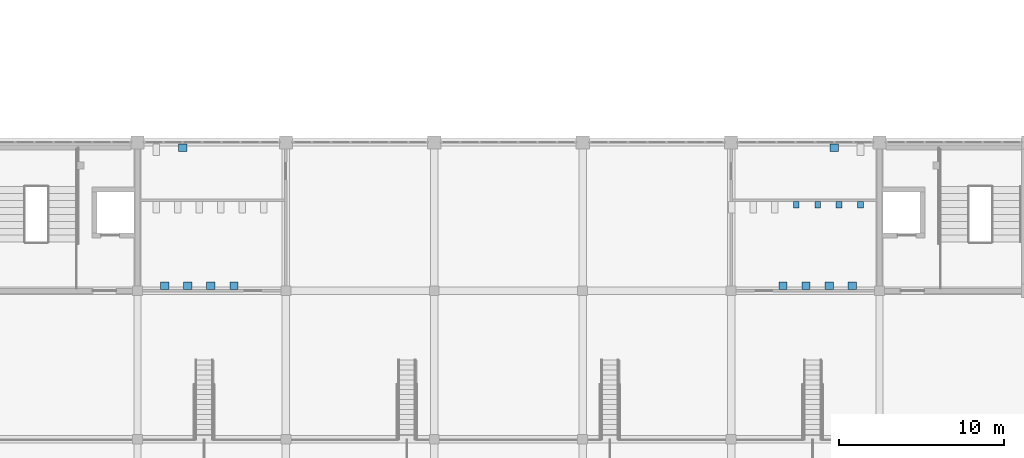
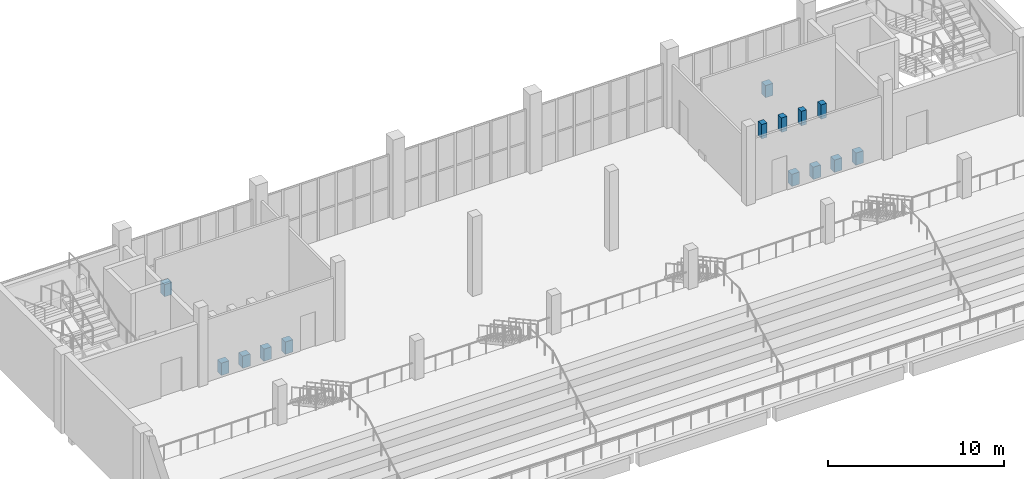
# One storey, part 134 of 185: 14 discrete accessories.
"""IFC4 building model written with IfcOpenShell, lengths in metres."""

from ifc_helpers import new_model, si_unit, direction, frame, origin, origin_2d, place, context, subcontext, project, spatial, rectangle, extrude, material, type_object, element, save


model = new_model("IFC4")

# Units and contexts
model_context = context("Model", 3, precision=1e-05, world=origin(), true_north=direction((0.0, 1.0)))
body_context = subcontext(model_context, "Body", "Model", "MODEL_VIEW")
ifc_project = project(units=[si_unit("LENGTHUNIT", "METRE"), si_unit("AREAUNIT", "SQUARE_METRE"), si_unit("VOLUMEUNIT", "CUBIC_METRE"), si_unit("PLANEANGLEUNIT", "RADIAN"), si_unit("MASSUNIT", "GRAM", prefix="KILO")], contexts=[model_context])

# Site, building, storey
site_placement = place(None, origin())
site = spatial("IfcSite", under=ifc_project, at=site_placement, CompositionType="ELEMENT")
building_placement = place(site_placement, origin())
building = spatial("IfcBuilding", under=site, at=building_placement, Name="Opaline Strait Convention Centre", CompositionType="ELEMENT")
storey_placement = place(building_placement, frame((0.0, 0.0, 6.0)))
storey = spatial("IfcBuildingStorey", under=building, at=storey_placement, Name="L01", CompositionType="ELEMENT", Elevation=6.0)

# Discrete accessories
ifc_material = material(Name="Vitreous china, white")
discrete_accessory_type_1 = type_object("IfcDiscreteAccessoryType", Name="Urinal 350 x 400", PredefinedType="USERDEFINED", material=ifc_material)
for number, where, z_axis, x_axis, name in (
    (1, (61.85009765625, 176.22509765625, 0.0), (0.0, 0.0, 1.0), (1.0, 0.0, 0.0), "PFX2 urinal 01"),
    (2, (60.550048828125, 176.22509765625, 0.0), (0.0, 0.0, 1.0), (1.0, 0.0, 0.0), "PFX2 urinal 02"),
    (3, (59.25, 176.22509765625, 0.0), (0.0, 0.0, 1.0), (1.0, 0.0, 0.0), "PFX2 urinal 03"),
    (4, (57.949951171875, 176.22509765625, 0.0), (0.0, 0.0, 1.0), (1.0, 0.0, 0.0), "PFX2 urinal 04"),
):
    element("IfcDiscreteAccessory", number, at=place(storey_placement, frame(where, z_axis=z_axis, x_axis=x_axis)), inside=storey, type_object=discrete_accessory_type_1, Name=name, ObjectType="SANITARY FITTING", PredefinedType="USERDEFINED", context=body_context, shape_type="SweptSolid", body=[
        extrude(rectangle(XDim=0.35009765625, YDim=0.39990234375, at=origin_2d()), origin(), (0.0, 0.0, 1.0), 1.0),
    ])
discrete_accessory_type_2 = type_object("IfcDiscreteAccessoryType", Name="Wash basin 500 x 450", PredefinedType="USERDEFINED", material=ifc_material)
for number, where, z_axis, x_axis, name in (
    (5, (19.64990234375, 171.300048828125, 0.0), (0.0, 0.0, 1.0), (1.0, 0.0, 0.0), "PFX3 wash B1"),
    (6, (21.050048828125, 171.300048828125, 0.0), (0.0, 0.0, 1.0), (1.0, 0.0, 0.0), "PFX3 wash B2"),
    (7, (22.449951171875, 171.300048828125, 0.0), (0.0, 0.0, 1.0), (1.0, 0.0, 0.0), "PFX3 wash B3"),
    (8, (23.85009765625, 171.300048828125, 0.0), (0.0, 0.0, 1.0), (1.0, 0.0, 0.0), "PFX3 wash B4"),
    (9, (20.75, 179.675048828125, 0.0), (0.0, 0.0, 1.0), (1.0, 0.0, 0.0), "PFX3 wash A2"),
    (10, (61.35009765625, 171.300048828125, 0.0), (0.0, 0.0, 1.0), (1.0, 0.0, 0.0), "PFX3 wash B1"),
    (11, (59.949951171875, 171.300048828125, 0.0), (0.0, 0.0, 1.0), (1.0, 0.0, 0.0), "PFX3 wash B2"),
    (12, (58.550048828125, 171.300048828125, 0.0), (0.0, 0.0, 1.0), (1.0, 0.0, 0.0), "PFX3 wash B3"),
    (13, (57.14990234375, 171.300048828125, 0.0), (0.0, 0.0, 1.0), (1.0, 0.0, 0.0), "PFX3 wash B4"),
    (14, (60.25, 179.675048828125, 0.0), (0.0, 0.0, 1.0), (1.0, 0.0, 0.0), "PFX3 wash A2"),
):
    element("IfcDiscreteAccessory", number, at=place(storey_placement, frame(where, z_axis=z_axis, x_axis=x_axis)), inside=storey, type_object=discrete_accessory_type_2, Name=name, ObjectType="SANITARY FITTING", PredefinedType="USERDEFINED", context=body_context, shape_type="SweptSolid", body=[
        extrude(rectangle(XDim=0.5, YDim=0.449951171875, at=origin_2d()), origin(), (0.0, 0.0, 1.0), 0.85009765625),
    ])

save(model, "model.ifc")
